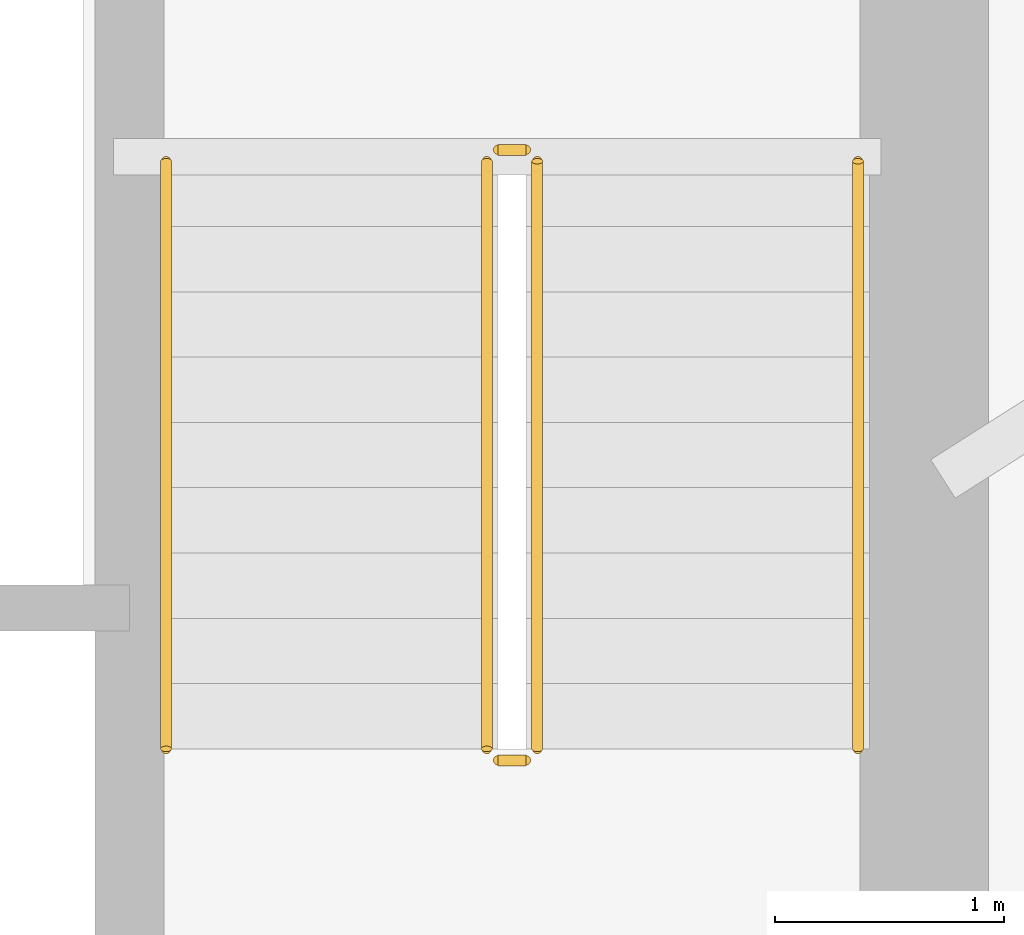
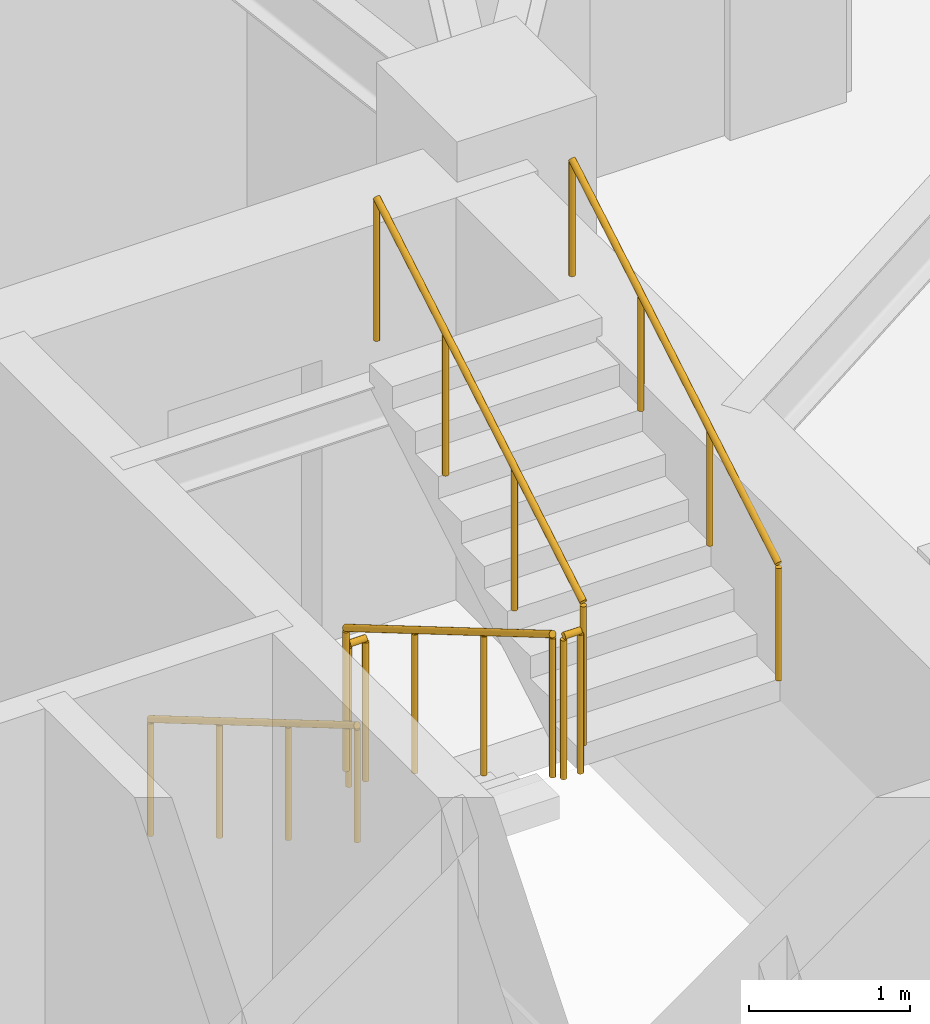
# One storey, part 18 of 18: 6 railings.
"""IFC4 building model written with IfcOpenShell, lengths in metres."""

from ifc_helpers import new_model, si_unit, direction, frame, origin, origin_2d, place, context, subcontext, project, spatial, circle, extrude, material, type_object, element, save


model = new_model("IFC4")

# Units and contexts
model_context = context("Model", 3, precision=1e-05, world=origin(), true_north=direction((0.0, 1.0)))
body_context = subcontext(model_context, "Body", "Model", "MODEL_VIEW")
ifc_project = project(units=[si_unit("LENGTHUNIT", "METRE"), si_unit("AREAUNIT", "SQUARE_METRE"), si_unit("VOLUMEUNIT", "CUBIC_METRE"), si_unit("PLANEANGLEUNIT", "RADIAN"), si_unit("MASSUNIT", "GRAM", prefix="KILO")], contexts=[model_context])

# Site, building, storey
site_placement = place(None, origin())
site = spatial("IfcSite", under=ifc_project, at=site_placement, CompositionType="ELEMENT")
building_placement = place(site_placement, origin())
building = spatial("IfcBuilding", under=site, at=building_placement, Name="Qobustan Lattice House", CompositionType="ELEMENT")
storey_placement = place(building_placement, frame((0.0, 0.0, 92.39990234375)))
storey = spatial("IfcBuildingStorey", under=building, at=storey_placement, Name="L25", CompositionType="ELEMENT", Elevation=92.39990234375)

# Railings
ifc_material_1 = material(Name="Brushed stainless steel handrail", Category="steel")
railing_type_1 = type_object("IfcRailingType", Name="RAL-HR-920", PredefinedType="HANDRAIL", material=ifc_material_1)
railing_1_placement = place(storey_placement, frame((15.179931640625, 3.5, 0.16748046875)))
element("IfcRailing", 1, at=railing_1_placement, inside=storey, type_object=railing_type_1, Name="L25 ST-E1 stair handrail 1", PredefinedType="HANDRAIL", context=body_context, shape_type="SweptSolid", body=[
    extrude(circle(Radius=0.02392578125, at=origin_2d()), frame((0.0, 0.0, 0.8759765625), z_axis=(0.0, -0.862113467892, 0.50671527358), x_axis=(1.0, 0.0, 0.0)), (0.0, 0.0, 1.0), 2.97509765625),
    extrude(circle(Radius=0.02099609375, at=origin_2d()), origin(), (0.0, 0.0, 1.0), 0.851806640625),
    extrude(circle(Radius=0.02099609375, at=origin_2d()), frame((0.0, -0.85498046875, 0.50244140625)), (0.0, 0.0, 1.0), 0.851806640625),
    extrude(circle(Radius=0.02099609375, at=origin_2d()), frame((0.0, -1.7099609375, 1.005126953125)), (0.0, 0.0, 1.0), 0.851806640625),
    extrude(circle(Radius=0.02099609375, at=origin_2d()), frame((0.0, -2.56494140625, 1.507568359375)), (0.0, 0.0, 1.0), 0.851806640625),
])
railing_2_placement = place(storey_placement, frame((18.199951171875, 0.93505859375, 1.842529296875)))
element("IfcRailing", 2, at=railing_2_placement, inside=storey, type_object=railing_type_1, Name="L25 ST-E1 stair handrail 2", PredefinedType="HANDRAIL", context=body_context, shape_type="SweptSolid", body=[
    extrude(circle(Radius=0.02392578125, at=origin_2d()), frame((0.0, 0.0, 0.8759765625), z_axis=(0.0, 0.862113467892, 0.50671527358), x_axis=(-1.0, 0.0, 0.0)), (0.0, 0.0, 1.0), 2.97509765625),
    extrude(circle(Radius=0.02099609375, at=origin_2d()), origin(), (0.0, 0.0, 1.0), 0.851806640625),
    extrude(circle(Radius=0.02099609375, at=origin_2d()), frame((0.0, 0.85498046875, 0.50244140625)), (0.0, 0.0, 1.0), 0.851806640625),
    extrude(circle(Radius=0.02099609375, at=origin_2d()), frame((0.0, 1.7099609375, 1.005126953125)), (0.0, 0.0, 1.0), 0.851806640625),
    extrude(circle(Radius=0.02099609375, at=origin_2d()), frame((0.0, 2.56494140625, 1.507568359375)), (0.0, 0.0, 1.0), 0.851806640625),
])
ifc_material_2 = material(Name="Painted galvanized steel guardrail", Category="steel")
railing_type_2 = type_object("IfcRailingType", Name="RAL-STG-1150", PredefinedType="GUARDRAIL", material=ifc_material_2)
railing_3_placement = place(storey_placement, frame((16.580078125, 3.5, 0.16748046875)))
element("IfcRailing", 3, at=railing_3_placement, inside=storey, type_object=railing_type_2, Name="L25 ST-E1 stair guard 1", PredefinedType="GUARDRAIL", context=body_context, shape_type="SweptSolid", body=[
    extrude(circle(Radius=0.02392578125, at=origin_2d()), frame((0.0, 0.0, 1.076171875), z_axis=(0.0, -0.862113467892, 0.50671527358), x_axis=(1.0, 0.0, 0.0)), (0.0, 0.0, 1.0), 2.97509765625),
    extrude(circle(Radius=0.02099609375, at=origin_2d()), origin(), (0.0, 0.0, 1.0), 1.052001953125),
    extrude(circle(Radius=0.02099609375, at=origin_2d()), frame((0.0, -0.85498046875, 0.50244140625)), (0.0, 0.0, 1.0), 1.052001953125),
    extrude(circle(Radius=0.02099609375, at=origin_2d()), frame((0.0, -1.7099609375, 1.005126953125)), (0.0, 0.0, 1.0), 1.052001953125),
    extrude(circle(Radius=0.02099609375, at=origin_2d()), frame((0.0, -2.56494140625, 1.507568359375)), (0.0, 0.0, 1.0), 1.052001953125),
])
railing_4_placement = place(storey_placement, frame((16.6298828125, 0.885009765625, 1.675048828125)))
element("IfcRailing", 4, at=railing_4_placement, inside=storey, type_object=railing_type_2, Name="L25 ST-E1 stair guard 2", PredefinedType="GUARDRAIL", context=body_context, shape_type="SweptSolid", body=[
    extrude(circle(Radius=0.02392578125, at=origin_2d()), frame((0.0, 0.0, 1.076171875), z_axis=(1.0, 0.0, 0.0), x_axis=(0.0, 1.0, 0.0)), (0.0, 0.0, 1.0), 0.1201171875),
    extrude(circle(Radius=0.02099609375, at=origin_2d()), origin(), (0.0, 0.0, 1.0), 1.052001953125),
    extrude(circle(Radius=0.02099609375, at=origin_2d()), frame((0.1201171875, 0.0, 0.0)), (0.0, 0.0, 1.0), 1.052001953125),
])
railing_5_placement = place(storey_placement, frame((16.800048828125, 0.93505859375, 1.842529296875)))
element("IfcRailing", 5, at=railing_5_placement, inside=storey, type_object=railing_type_2, Name="L25 ST-E1 stair guard 3", PredefinedType="GUARDRAIL", context=body_context, shape_type="SweptSolid", body=[
    extrude(circle(Radius=0.02392578125, at=origin_2d()), frame((0.0, 0.0, 1.076171875), z_axis=(0.0, 0.862113467892, 0.50671527358), x_axis=(-1.0, 0.0, 0.0)), (0.0, 0.0, 1.0), 2.97509765625),
    extrude(circle(Radius=0.02099609375, at=origin_2d()), origin(), (0.0, 0.0, 1.0), 1.052001953125),
    extrude(circle(Radius=0.02099609375, at=origin_2d()), frame((0.0, 0.85498046875, 0.50244140625)), (0.0, 0.0, 1.0), 1.052001953125),
    extrude(circle(Radius=0.02099609375, at=origin_2d()), frame((0.0, 1.7099609375, 1.005126953125)), (0.0, 0.0, 1.0), 1.052001953125),
    extrude(circle(Radius=0.02099609375, at=origin_2d()), frame((0.0, 2.56494140625, 1.507568359375)), (0.0, 0.0, 1.0), 1.052001953125),
])
railing_6_placement = place(storey_placement, frame((16.6298828125, 3.550048828125, 0.0)))
element("IfcRailing", 6, at=railing_6_placement, inside=storey, type_object=railing_type_2, Name="L25 ST-E1 stair guard 4", PredefinedType="GUARDRAIL", context=body_context, shape_type="SweptSolid", body=[
    extrude(circle(Radius=0.02392578125, at=origin_2d()), frame((0.0, 0.0, 1.076171875), z_axis=(1.0, 0.0, 0.0), x_axis=(0.0, 1.0, 0.0)), (0.0, 0.0, 1.0), 0.1201171875),
    extrude(circle(Radius=0.02099609375, at=origin_2d()), origin(), (0.0, 0.0, 1.0), 1.052001953125),
    extrude(circle(Radius=0.02099609375, at=origin_2d()), frame((0.1201171875, 0.0, 0.0)), (0.0, 0.0, 1.0), 1.052001953125),
])

save(model, "model.ifc")
